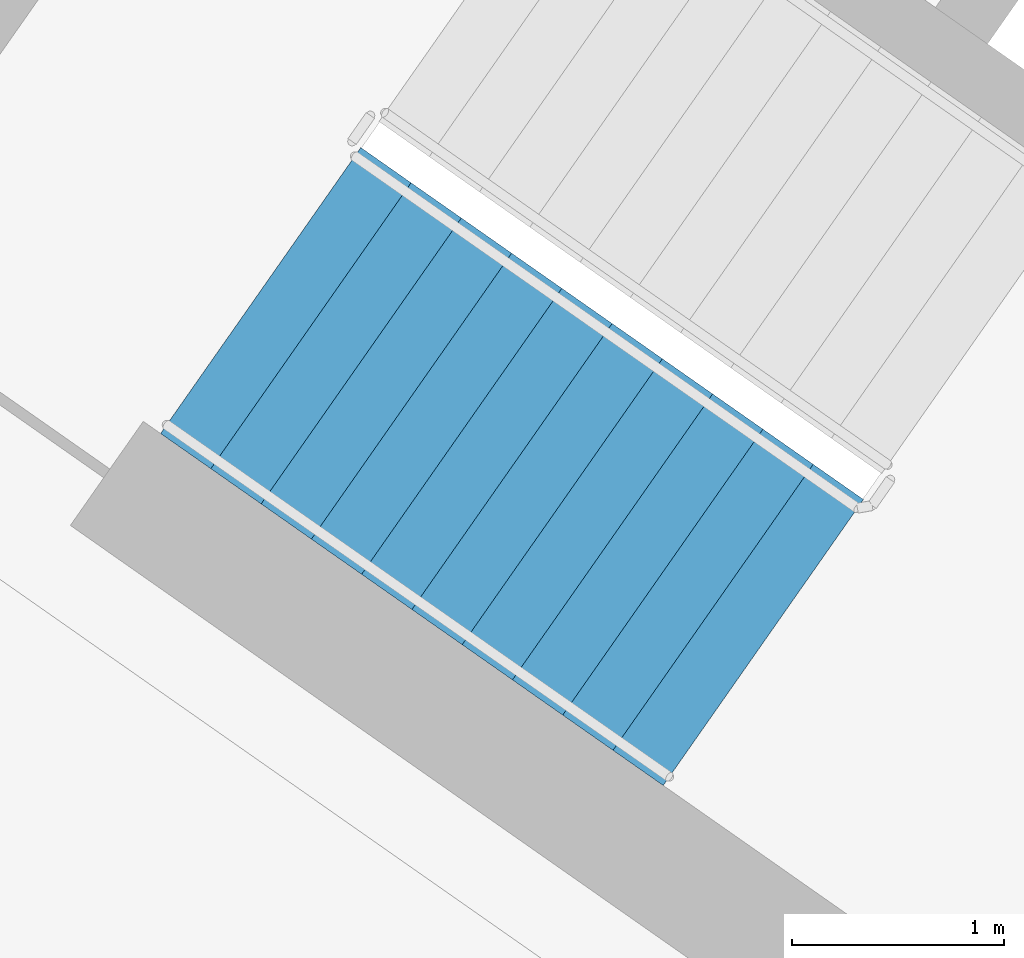
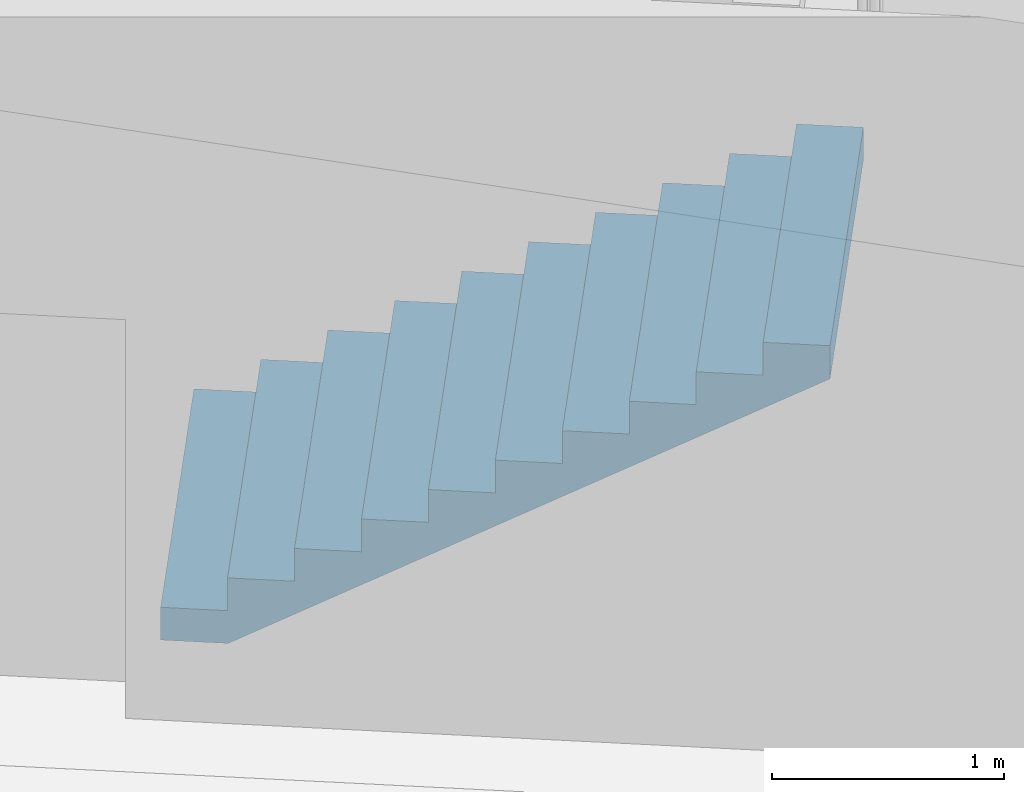
# One storey, part 10 of 28: 1 stair flight, 1 element without a shape of its own.
"""IFC4 building model written with IfcOpenShell, lengths in metres."""

from ifc_helpers import new_model, si_unit, direction, frame, origin, place, context, subcontext, project, spatial, faceted_brep, material, type_object, element, aggregate, save


model = new_model("IFC4")

# Units and contexts
model_context = context("Model", 3, precision=1e-05, world=origin(), true_north=direction((0.0, 1.0)))
body_context = subcontext(model_context, "Body", "Model", "MODEL_VIEW")
ifc_project = project(units=[si_unit("LENGTHUNIT", "METRE"), si_unit("AREAUNIT", "SQUARE_METRE"), si_unit("VOLUMEUNIT", "CUBIC_METRE"), si_unit("PLANEANGLEUNIT", "RADIAN"), si_unit("MASSUNIT", "GRAM", prefix="KILO")], contexts=[model_context])

# Site, building, storey
site_placement = place(None, origin())
site = spatial("IfcSite", under=ifc_project, at=site_placement, CompositionType="ELEMENT")
building_placement = place(site_placement, origin())
building = spatial("IfcBuilding", under=site, at=building_placement, Name="Qamariyya Broadcast Tower", CompositionType="ELEMENT")
storey_placement = place(building_placement, frame((0.0, 0.0, 215.10009765625)))
storey = spatial("IfcBuildingStorey", under=building, at=storey_placement, Name="L51", CompositionType="ELEMENT", Elevation=215.10009765625)

# Stair, stair flight
ifc_material = material(Name="Concrete C50/60", Category="concrete")
stair_type = type_object("IfcStairType", Name="Exit stair 22 risers of 173 mm", PredefinedType="HALF_TURN_STAIR", material=ifc_material)
stair_placement = place(storey_placement, origin())
stair = element("IfcStair", 1, at=stair_placement, inside=storey, type_object=stair_type, Name="L51 Stair W1", PredefinedType="HALF_TURN_STAIR")
stair_flight_type = type_object("IfcStairFlightType", Name="Exit stair flight 11 risers of 173 mm", PredefinedType="STRAIGHT", material=ifc_material)
stair_flight_placement = place(storey_placement, frame((-47.06884765625, -56.982666015625, 0.0), z_axis=(0.0, 0.0, 1.0), x_axis=(0.819152044289, -0.573576436351, 0.0)))
stair_flight = element("IfcStairFlight", 2, at=stair_flight_placement, type_object=stair_flight_type, Name="ST-W1 flight 1", NumberOfRisers=11, NumberOfTreads=10, PredefinedType="STRAIGHT", RiserHeight=0.172727273, TreadLength=0.29, context=body_context, shape_type="Brep", body=[
    faceted_brep([(0.0, 0.824951171875, 0.0), (0.0, 0.824951171875, 0.172607421875), (0.2900390625, 0.824951171875, 0.172607421875), (0.2900390625, 0.824951171875, 0.345458984375), (0.580078125, 0.824951171875, 0.345458984375), (0.580078125, 0.824951171875, 0.51806640625), (0.8701171875, 0.824951171875, 0.51806640625), (0.8701171875, 0.824951171875, 0.69091796875), (1.159912109375, 0.824951171875, 0.69091796875), (1.159912109375, 0.824951171875, 0.863525390625), (1.449951171875, 0.824951171875, 0.863525390625), (1.449951171875, 0.824951171875, 1.036376953125), (1.739990234375, 0.824951171875, 1.036376953125), (1.739990234375, 0.824951171875, 1.208984375), (2.030029296875, 0.824951171875, 1.208984375), (2.030029296875, 0.824951171875, 1.3818359375), (2.320068359375, 0.824951171875, 1.3818359375), (2.320068359375, 0.824951171875, 1.554443359375), (2.610107421875, 0.824951171875, 1.554443359375), (2.610107421875, 0.824951171875, 1.727294921875), (2.89990234375, 0.824951171875, 1.727294921875), (2.89990234375, 0.824951171875, 1.552734375), (0.29296875, 0.824951171875, 0.0), (0.29296875, -0.824951171875, 0.0), (2.89990234375, -0.824951171875, 1.552734375), (2.89990234375, -0.824951171875, 1.727294921875), (2.610107421875, -0.824951171875, 1.727294921875), (2.610107421875, -0.824951171875, 1.554443359375), (2.320068359375, -0.824951171875, 1.554443359375), (2.320068359375, -0.824951171875, 1.3818359375), (2.030029296875, -0.824951171875, 1.3818359375), (2.030029296875, -0.824951171875, 1.208984375), (1.739990234375, -0.824951171875, 1.208984375), (1.739990234375, -0.824951171875, 1.036376953125), (1.449951171875, -0.824951171875, 1.036376953125), (1.449951171875, -0.824951171875, 0.863525390625), (1.159912109375, -0.824951171875, 0.863525390625), (1.159912109375, -0.824951171875, 0.69091796875), (0.8701171875, -0.824951171875, 0.69091796875), (0.8701171875, -0.824951171875, 0.51806640625), (0.580078125, -0.824951171875, 0.51806640625), (0.580078125, -0.824951171875, 0.345458984375), (0.2900390625, -0.824951171875, 0.345458984375), (0.2900390625, -0.824951171875, 0.172607421875), (0.0, -0.824951171875, 0.172607421875), (0.0, -0.824951171875, 0.0), (0.0, 0.10009765625, 0.0), (0.0, 0.086669921875, 0.0), (0.0, 0.0732421875, 0.0), (0.0, 0.06005859375, 0.0), (0.0, 0.046630859375, 0.0), (0.0, 0.033447265625, 0.0), (0.0, 0.02001953125, 0.0), (0.0, 0.006591796875, 0.0), (0.0, -0.006591796875, 0.0), (0.0, -0.02001953125, 0.0), (0.0, -0.033447265625, 0.0), (0.0, -0.046630859375, 0.0), (0.0, -0.06005859375, 0.0), (0.0, -0.0732421875, 0.0), (0.0, -0.086669921875, 0.0), (0.0, -0.10009765625, 0.0), (0.0, -0.10009765625, 0.172607421875), (0.0, -0.086669921875, 0.172607421875), (0.0, -0.0732421875, 0.172607421875), (0.0, -0.06005859375, 0.172607421875), (0.0, -0.046630859375, 0.172607421875), (0.0, -0.033447265625, 0.172607421875), (0.0, -0.02001953125, 0.172607421875), (0.0, -0.006591796875, 0.172607421875), (0.0, 0.006591796875, 0.172607421875), (0.0, 0.02001953125, 0.172607421875), (0.0, 0.033447265625, 0.172607421875), (0.0, 0.046630859375, 0.172607421875), (0.0, 0.06005859375, 0.172607421875), (0.0, 0.0732421875, 0.172607421875), (0.0, 0.086669921875, 0.172607421875), (0.0, 0.10009765625, 0.172607421875), (0.2900390625, -0.10009765625, 0.172607421875), (0.2900390625, -0.086669921875, 0.172607421875), (0.2900390625, -0.0732421875, 0.172607421875), (0.2900390625, -0.06005859375, 0.172607421875), (0.2900390625, -0.046630859375, 0.172607421875), (0.2900390625, -0.033447265625, 0.172607421875), (0.2900390625, -0.02001953125, 0.172607421875), (0.2900390625, -0.006591796875, 0.172607421875), (0.2900390625, 0.006591796875, 0.172607421875), (0.2900390625, 0.02001953125, 0.172607421875), (0.2900390625, 0.033447265625, 0.172607421875), (0.2900390625, 0.046630859375, 0.172607421875), (0.2900390625, 0.06005859375, 0.172607421875), (0.2900390625, 0.0732421875, 0.172607421875), (0.2900390625, 0.086669921875, 0.172607421875), (0.2900390625, 0.10009765625, 0.172607421875), (0.2900390625, -0.10009765625, 0.345458984375), (0.2900390625, -0.086669921875, 0.345458984375), (0.2900390625, -0.0732421875, 0.345458984375), (0.2900390625, -0.06005859375, 0.345458984375), (0.2900390625, -0.046630859375, 0.345458984375), (0.2900390625, -0.033447265625, 0.345458984375), (0.2900390625, -0.02001953125, 0.345458984375), (0.2900390625, -0.006591796875, 0.345458984375), (0.2900390625, 0.006591796875, 0.345458984375), (0.2900390625, 0.02001953125, 0.345458984375), (0.2900390625, 0.033447265625, 0.345458984375), (0.2900390625, 0.046630859375, 0.345458984375), (0.2900390625, 0.06005859375, 0.345458984375), (0.2900390625, 0.0732421875, 0.345458984375), (0.2900390625, 0.086669921875, 0.345458984375), (0.2900390625, 0.10009765625, 0.345458984375), (0.580078125, -0.10009765625, 0.345458984375), (0.580078125, -0.086669921875, 0.345458984375), (0.580078125, -0.0732421875, 0.345458984375), (0.580078125, -0.06005859375, 0.345458984375), (0.580078125, -0.046630859375, 0.345458984375), (0.580078125, -0.033447265625, 0.345458984375), (0.580078125, -0.02001953125, 0.345458984375), (0.580078125, -0.006591796875, 0.345458984375), (0.580078125, 0.006591796875, 0.345458984375), (0.580078125, 0.02001953125, 0.345458984375), (0.580078125, 0.033447265625, 0.345458984375), (0.580078125, 0.046630859375, 0.345458984375), (0.580078125, 0.06005859375, 0.345458984375), (0.580078125, 0.0732421875, 0.345458984375), (0.580078125, 0.086669921875, 0.345458984375), (0.580078125, 0.10009765625, 0.345458984375), (0.580078125, -0.10009765625, 0.51806640625), (0.580078125, -0.086669921875, 0.51806640625), (0.580078125, -0.0732421875, 0.51806640625), (0.580078125, -0.06005859375, 0.51806640625), (0.580078125, -0.046630859375, 0.51806640625), (0.580078125, -0.033447265625, 0.51806640625), (0.580078125, -0.02001953125, 0.51806640625), (0.580078125, -0.006591796875, 0.51806640625), (0.580078125, 0.006591796875, 0.51806640625), (0.580078125, 0.02001953125, 0.51806640625), (0.580078125, 0.033447265625, 0.51806640625), (0.580078125, 0.046630859375, 0.51806640625), (0.580078125, 0.06005859375, 0.51806640625), (0.580078125, 0.0732421875, 0.51806640625), (0.580078125, 0.086669921875, 0.51806640625), (0.580078125, 0.10009765625, 0.51806640625), (0.8701171875, -0.10009765625, 0.51806640625), (0.8701171875, -0.086669921875, 0.51806640625), (0.8701171875, -0.0732421875, 0.51806640625), (0.8701171875, -0.06005859375, 0.51806640625), (0.8701171875, -0.046630859375, 0.51806640625), (0.8701171875, -0.033447265625, 0.51806640625), (0.8701171875, -0.02001953125, 0.51806640625), (0.8701171875, -0.006591796875, 0.51806640625), (0.8701171875, 0.006591796875, 0.51806640625), (0.8701171875, 0.02001953125, 0.51806640625), (0.8701171875, 0.033447265625, 0.51806640625), (0.8701171875, 0.046630859375, 0.51806640625), (0.8701171875, 0.06005859375, 0.51806640625), (0.8701171875, 0.0732421875, 0.51806640625), (0.8701171875, 0.086669921875, 0.51806640625), (0.8701171875, 0.10009765625, 0.51806640625), (0.8701171875, -0.10009765625, 0.69091796875), (0.8701171875, -0.086669921875, 0.69091796875), (0.8701171875, -0.0732421875, 0.69091796875), (0.8701171875, -0.06005859375, 0.69091796875), (0.8701171875, -0.046630859375, 0.69091796875), (0.8701171875, -0.033447265625, 0.69091796875), (0.8701171875, -0.02001953125, 0.69091796875), (0.8701171875, -0.006591796875, 0.69091796875), (0.8701171875, 0.006591796875, 0.69091796875), (0.8701171875, 0.02001953125, 0.69091796875), (0.8701171875, 0.033447265625, 0.69091796875), (0.8701171875, 0.046630859375, 0.69091796875), (0.8701171875, 0.06005859375, 0.69091796875), (0.8701171875, 0.0732421875, 0.69091796875), (0.8701171875, 0.086669921875, 0.69091796875), (0.8701171875, 0.10009765625, 0.69091796875), (1.159912109375, -0.10009765625, 0.69091796875), (1.159912109375, -0.086669921875, 0.69091796875), (1.159912109375, -0.0732421875, 0.69091796875), (1.159912109375, -0.06005859375, 0.69091796875), (1.159912109375, -0.046630859375, 0.69091796875), (1.159912109375, -0.033447265625, 0.69091796875), (1.159912109375, -0.02001953125, 0.69091796875), (1.159912109375, -0.006591796875, 0.69091796875), (1.159912109375, 0.006591796875, 0.69091796875), (1.159912109375, 0.02001953125, 0.69091796875), (1.159912109375, 0.033447265625, 0.69091796875), (1.159912109375, 0.046630859375, 0.69091796875), (1.159912109375, 0.06005859375, 0.69091796875), (1.159912109375, 0.0732421875, 0.69091796875), (1.159912109375, 0.086669921875, 0.69091796875), (1.159912109375, 0.10009765625, 0.69091796875), (1.159912109375, -0.10009765625, 0.863525390625), (1.159912109375, -0.086669921875, 0.863525390625), (1.159912109375, -0.0732421875, 0.863525390625), (1.159912109375, -0.06005859375, 0.863525390625), (1.159912109375, -0.046630859375, 0.863525390625), (1.159912109375, -0.033447265625, 0.863525390625), (1.159912109375, -0.02001953125, 0.863525390625), (1.159912109375, -0.006591796875, 0.863525390625), (1.159912109375, 0.006591796875, 0.863525390625), (1.159912109375, 0.02001953125, 0.863525390625), (1.159912109375, 0.033447265625, 0.863525390625), (1.159912109375, 0.046630859375, 0.863525390625), (1.159912109375, 0.06005859375, 0.863525390625), (1.159912109375, 0.0732421875, 0.863525390625), (1.159912109375, 0.086669921875, 0.863525390625), (1.159912109375, 0.10009765625, 0.863525390625), (1.449951171875, -0.10009765625, 0.863525390625), (1.449951171875, -0.086669921875, 0.863525390625), (1.449951171875, -0.0732421875, 0.863525390625), (1.449951171875, -0.06005859375, 0.863525390625), (1.449951171875, -0.046630859375, 0.863525390625), (1.449951171875, -0.033447265625, 0.863525390625), (1.449951171875, -0.02001953125, 0.863525390625), (1.449951171875, -0.006591796875, 0.863525390625), (1.449951171875, 0.006591796875, 0.863525390625), (1.449951171875, 0.02001953125, 0.863525390625), (1.449951171875, 0.033447265625, 0.863525390625), (1.449951171875, 0.046630859375, 0.863525390625), (1.449951171875, 0.06005859375, 0.863525390625), (1.449951171875, 0.0732421875, 0.863525390625), (1.449951171875, 0.086669921875, 0.863525390625), (1.449951171875, 0.10009765625, 0.863525390625), (1.449951171875, -0.10009765625, 1.036376953125), (1.449951171875, -0.086669921875, 1.036376953125), (1.449951171875, -0.0732421875, 1.036376953125), (1.449951171875, -0.06005859375, 1.036376953125), (1.449951171875, -0.046630859375, 1.036376953125), (1.449951171875, -0.033447265625, 1.036376953125), (1.449951171875, -0.02001953125, 1.036376953125), (1.449951171875, -0.006591796875, 1.036376953125), (1.449951171875, 0.006591796875, 1.036376953125), (1.449951171875, 0.02001953125, 1.036376953125), (1.449951171875, 0.033447265625, 1.036376953125), (1.449951171875, 0.046630859375, 1.036376953125), (1.449951171875, 0.06005859375, 1.036376953125), (1.449951171875, 0.0732421875, 1.036376953125), (1.449951171875, 0.086669921875, 1.036376953125), (1.449951171875, 0.10009765625, 1.036376953125), (1.739990234375, -0.10009765625, 1.036376953125), (1.739990234375, -0.086669921875, 1.036376953125), (1.739990234375, -0.0732421875, 1.036376953125), (1.739990234375, -0.06005859375, 1.036376953125), (1.739990234375, -0.046630859375, 1.036376953125), (1.739990234375, -0.033447265625, 1.036376953125), (1.739990234375, -0.02001953125, 1.036376953125), (1.739990234375, -0.006591796875, 1.036376953125), (1.739990234375, 0.006591796875, 1.036376953125), (1.739990234375, 0.02001953125, 1.036376953125), (1.739990234375, 0.033447265625, 1.036376953125), (1.739990234375, 0.046630859375, 1.036376953125), (1.739990234375, 0.06005859375, 1.036376953125), (1.739990234375, 0.0732421875, 1.036376953125), (1.739990234375, 0.086669921875, 1.036376953125), (1.739990234375, 0.10009765625, 1.036376953125), (1.739990234375, -0.10009765625, 1.208984375), (1.739990234375, -0.086669921875, 1.208984375), (1.739990234375, -0.0732421875, 1.208984375), (1.739990234375, -0.06005859375, 1.208984375), (1.739990234375, -0.046630859375, 1.208984375), (1.739990234375, -0.033447265625, 1.208984375), (1.739990234375, -0.02001953125, 1.208984375), (1.739990234375, -0.006591796875, 1.208984375), (1.739990234375, 0.006591796875, 1.208984375), (1.739990234375, 0.02001953125, 1.208984375), (1.739990234375, 0.033447265625, 1.208984375), (1.739990234375, 0.046630859375, 1.208984375), (1.739990234375, 0.06005859375, 1.208984375), (1.739990234375, 0.0732421875, 1.208984375), (1.739990234375, 0.086669921875, 1.208984375), (1.739990234375, 0.10009765625, 1.208984375), (2.030029296875, -0.10009765625, 1.208984375), (2.030029296875, -0.086669921875, 1.208984375), (2.030029296875, -0.0732421875, 1.208984375), (2.030029296875, -0.06005859375, 1.208984375), (2.030029296875, -0.046630859375, 1.208984375), (2.030029296875, -0.033447265625, 1.208984375), (2.030029296875, -0.02001953125, 1.208984375), (2.030029296875, -0.006591796875, 1.208984375), (2.030029296875, 0.006591796875, 1.208984375), (2.030029296875, 0.02001953125, 1.208984375), (2.030029296875, 0.033447265625, 1.208984375), (2.030029296875, 0.046630859375, 1.208984375), (2.030029296875, 0.06005859375, 1.208984375), (2.030029296875, 0.0732421875, 1.208984375), (2.030029296875, 0.086669921875, 1.208984375), (2.030029296875, 0.10009765625, 1.208984375), (2.030029296875, -0.10009765625, 1.3818359375), (2.030029296875, -0.086669921875, 1.3818359375), (2.030029296875, -0.0732421875, 1.3818359375), (2.030029296875, -0.06005859375, 1.3818359375), (2.030029296875, -0.046630859375, 1.3818359375), (2.030029296875, -0.033447265625, 1.3818359375), (2.030029296875, -0.02001953125, 1.3818359375), (2.030029296875, -0.006591796875, 1.3818359375), (2.030029296875, 0.006591796875, 1.3818359375), (2.030029296875, 0.02001953125, 1.3818359375), (2.030029296875, 0.033447265625, 1.3818359375), (2.030029296875, 0.046630859375, 1.3818359375), (2.030029296875, 0.06005859375, 1.3818359375), (2.030029296875, 0.0732421875, 1.3818359375), (2.030029296875, 0.086669921875, 1.3818359375), (2.030029296875, 0.10009765625, 1.3818359375), (2.320068359375, -0.10009765625, 1.3818359375), (2.320068359375, -0.086669921875, 1.3818359375), (2.320068359375, -0.0732421875, 1.3818359375), (2.320068359375, -0.06005859375, 1.3818359375), (2.320068359375, -0.046630859375, 1.3818359375), (2.320068359375, -0.033447265625, 1.3818359375), (2.320068359375, -0.02001953125, 1.3818359375), (2.320068359375, -0.006591796875, 1.3818359375), (2.320068359375, 0.006591796875, 1.3818359375), (2.320068359375, 0.02001953125, 1.3818359375), (2.320068359375, 0.033447265625, 1.3818359375), (2.320068359375, 0.046630859375, 1.3818359375), (2.320068359375, 0.06005859375, 1.3818359375), (2.320068359375, 0.0732421875, 1.3818359375), (2.320068359375, 0.086669921875, 1.3818359375), (2.320068359375, 0.10009765625, 1.3818359375), (2.320068359375, -0.10009765625, 1.554443359375), (2.320068359375, -0.086669921875, 1.554443359375), (2.320068359375, -0.0732421875, 1.554443359375), (2.320068359375, -0.06005859375, 1.554443359375), (2.320068359375, -0.046630859375, 1.554443359375), (2.320068359375, -0.033447265625, 1.554443359375), (2.320068359375, -0.02001953125, 1.554443359375), (2.320068359375, -0.006591796875, 1.554443359375), (2.320068359375, 0.006591796875, 1.554443359375), (2.320068359375, 0.02001953125, 1.554443359375), (2.320068359375, 0.033447265625, 1.554443359375), (2.320068359375, 0.046630859375, 1.554443359375), (2.320068359375, 0.06005859375, 1.554443359375), (2.320068359375, 0.0732421875, 1.554443359375), (2.320068359375, 0.086669921875, 1.554443359375), (2.320068359375, 0.10009765625, 1.554443359375), (2.610107421875, -0.10009765625, 1.554443359375), (2.610107421875, -0.086669921875, 1.554443359375), (2.610107421875, -0.0732421875, 1.554443359375), (2.610107421875, -0.06005859375, 1.554443359375), (2.610107421875, -0.046630859375, 1.554443359375), (2.610107421875, -0.033447265625, 1.554443359375), (2.610107421875, -0.02001953125, 1.554443359375), (2.610107421875, -0.006591796875, 1.554443359375), (2.610107421875, 0.006591796875, 1.554443359375), (2.610107421875, 0.02001953125, 1.554443359375), (2.610107421875, 0.033447265625, 1.554443359375), (2.610107421875, 0.046630859375, 1.554443359375), (2.610107421875, 0.06005859375, 1.554443359375), (2.610107421875, 0.0732421875, 1.554443359375), (2.610107421875, 0.086669921875, 1.554443359375), (2.610107421875, 0.10009765625, 1.554443359375), (2.610107421875, -0.10009765625, 1.727294921875), (2.610107421875, -0.086669921875, 1.727294921875), (2.610107421875, -0.0732421875, 1.727294921875), (2.610107421875, -0.06005859375, 1.727294921875), (2.610107421875, -0.046630859375, 1.727294921875), (2.610107421875, -0.033447265625, 1.727294921875), (2.610107421875, -0.02001953125, 1.727294921875), (2.610107421875, -0.006591796875, 1.727294921875), (2.610107421875, 0.006591796875, 1.727294921875), (2.610107421875, 0.02001953125, 1.727294921875), (2.610107421875, 0.033447265625, 1.727294921875), (2.610107421875, 0.046630859375, 1.727294921875), (2.610107421875, 0.06005859375, 1.727294921875), (2.610107421875, 0.0732421875, 1.727294921875), (2.610107421875, 0.086669921875, 1.727294921875), (2.610107421875, 0.10009765625, 1.727294921875), (2.89990234375, -0.10009765625, 1.727294921875), (2.89990234375, -0.086669921875, 1.727294921875), (2.89990234375, -0.0732421875, 1.727294921875), (2.89990234375, -0.06005859375, 1.727294921875), (2.89990234375, -0.046630859375, 1.727294921875), (2.89990234375, -0.033447265625, 1.727294921875), (2.89990234375, -0.02001953125, 1.727294921875), (2.89990234375, -0.006591796875, 1.727294921875), (2.89990234375, 0.006591796875, 1.727294921875), (2.89990234375, 0.02001953125, 1.727294921875), (2.89990234375, 0.033447265625, 1.727294921875), (2.89990234375, 0.046630859375, 1.727294921875), (2.89990234375, 0.06005859375, 1.727294921875), (2.89990234375, 0.0732421875, 1.727294921875), (2.89990234375, 0.086669921875, 1.727294921875), (2.89990234375, 0.10009765625, 1.727294921875), (2.89990234375, -0.10009765625, 1.552734375), (2.89990234375, -0.086669921875, 1.552734375), (2.89990234375, -0.0732421875, 1.552734375), (2.89990234375, -0.06005859375, 1.552734375), (2.89990234375, -0.046630859375, 1.552734375), (2.89990234375, -0.033447265625, 1.552734375), (2.89990234375, -0.02001953125, 1.552734375), (2.89990234375, -0.006591796875, 1.552734375), (2.89990234375, 0.006591796875, 1.552734375), (2.89990234375, 0.02001953125, 1.552734375), (2.89990234375, 0.033447265625, 1.552734375), (2.89990234375, 0.046630859375, 1.552734375), (2.89990234375, 0.06005859375, 1.552734375), (2.89990234375, 0.0732421875, 1.552734375), (2.89990234375, 0.086669921875, 1.552734375), (2.89990234375, 0.10009765625, 1.552734375), (0.29296875, -0.10009765625, 0.0), (0.29296875, -0.086669921875, 0.0), (0.29296875, -0.0732421875, 0.0), (0.29296875, -0.06005859375, 0.0), (0.29296875, -0.046630859375, 0.0), (0.29296875, -0.033447265625, 0.0), (0.29296875, -0.02001953125, 0.0), (0.29296875, -0.006591796875, 0.0), (0.29296875, 0.006591796875, 0.0), (0.29296875, 0.02001953125, 0.0), (0.29296875, 0.033447265625, 0.0), (0.29296875, 0.046630859375, 0.0), (0.29296875, 0.06005859375, 0.0), (0.29296875, 0.0732421875, 0.0), (0.29296875, 0.086669921875, 0.0), (0.29296875, 0.10009765625, 0.0)], [[[0, 1, 2, 3, 4, 5, 6, 7, 8, 9, 10, 11, 12, 13, 14, 15, 16, 17, 18, 19, 20, 21, 22]], [[23, 24, 25, 26, 27, 28, 29, 30, 31, 32, 33, 34, 35, 36, 37, 38, 39, 40, 41, 42, 43, 44, 45]], [[0, 46, 47, 48, 49, 50, 51, 52, 53, 54, 55, 56, 57, 58, 59, 60, 61, 45, 44, 62, 63, 64, 65, 66, 67, 68, 69, 70, 71, 72, 73, 74, 75, 76, 77, 1]], [[1, 77, 76, 75, 74, 73, 72, 71, 70, 69, 68, 67, 66, 65, 64, 63, 62, 44, 43, 78, 79, 80, 81, 82, 83, 84, 85, 86, 87, 88, 89, 90, 91, 92, 93, 2]], [[2, 93, 92, 91, 90, 89, 88, 87, 86, 85, 84, 83, 82, 81, 80, 79, 78, 43, 42, 94, 95, 96, 97, 98, 99, 100, 101, 102, 103, 104, 105, 106, 107, 108, 109, 3]], [[3, 109, 108, 107, 106, 105, 104, 103, 102, 101, 100, 99, 98, 97, 96, 95, 94, 42, 41, 110, 111, 112, 113, 114, 115, 116, 117, 118, 119, 120, 121, 122, 123, 124, 125, 4]], [[4, 125, 124, 123, 122, 121, 120, 119, 118, 117, 116, 115, 114, 113, 112, 111, 110, 41, 40, 126, 127, 128, 129, 130, 131, 132, 133, 134, 135, 136, 137, 138, 139, 140, 141, 5]], [[5, 141, 140, 139, 138, 137, 136, 135, 134, 133, 132, 131, 130, 129, 128, 127, 126, 40, 39, 142, 143, 144, 145, 146, 147, 148, 149, 150, 151, 152, 153, 154, 155, 156, 157, 6]], [[6, 157, 156, 155, 154, 153, 152, 151, 150, 149, 148, 147, 146, 145, 144, 143, 142, 39, 38, 158, 159, 160, 161, 162, 163, 164, 165, 166, 167, 168, 169, 170, 171, 172, 173, 7]], [[7, 173, 172, 171, 170, 169, 168, 167, 166, 165, 164, 163, 162, 161, 160, 159, 158, 38, 37, 174, 175, 176, 177, 178, 179, 180, 181, 182, 183, 184, 185, 186, 187, 188, 189, 8]], [[8, 189, 188, 187, 186, 185, 184, 183, 182, 181, 180, 179, 178, 177, 176, 175, 174, 37, 36, 190, 191, 192, 193, 194, 195, 196, 197, 198, 199, 200, 201, 202, 203, 204, 205, 9]], [[9, 205, 204, 203, 202, 201, 200, 199, 198, 197, 196, 195, 194, 193, 192, 191, 190, 36, 35, 206, 207, 208, 209, 210, 211, 212, 213, 214, 215, 216, 217, 218, 219, 220, 221, 10]], [[10, 221, 220, 219, 218, 217, 216, 215, 214, 213, 212, 211, 210, 209, 208, 207, 206, 35, 34, 222, 223, 224, 225, 226, 227, 228, 229, 230, 231, 232, 233, 234, 235, 236, 237, 11]], [[11, 237, 236, 235, 234, 233, 232, 231, 230, 229, 228, 227, 226, 225, 224, 223, 222, 34, 33, 238, 239, 240, 241, 242, 243, 244, 245, 246, 247, 248, 249, 250, 251, 252, 253, 12]], [[12, 253, 252, 251, 250, 249, 248, 247, 246, 245, 244, 243, 242, 241, 240, 239, 238, 33, 32, 254, 255, 256, 257, 258, 259, 260, 261, 262, 263, 264, 265, 266, 267, 268, 269, 13]], [[13, 269, 268, 267, 266, 265, 264, 263, 262, 261, 260, 259, 258, 257, 256, 255, 254, 32, 31, 270, 271, 272, 273, 274, 275, 276, 277, 278, 279, 280, 281, 282, 283, 284, 285, 14]], [[14, 285, 284, 283, 282, 281, 280, 279, 278, 277, 276, 275, 274, 273, 272, 271, 270, 31, 30, 286, 287, 288, 289, 290, 291, 292, 293, 294, 295, 296, 297, 298, 299, 300, 301, 15]], [[15, 301, 300, 299, 298, 297, 296, 295, 294, 293, 292, 291, 290, 289, 288, 287, 286, 30, 29, 302, 303, 304, 305, 306, 307, 308, 309, 310, 311, 312, 313, 314, 315, 316, 317, 16]], [[16, 317, 316, 315, 314, 313, 312, 311, 310, 309, 308, 307, 306, 305, 304, 303, 302, 29, 28, 318, 319, 320, 321, 322, 323, 324, 325, 326, 327, 328, 329, 330, 331, 332, 333, 17]], [[17, 333, 332, 331, 330, 329, 328, 327, 326, 325, 324, 323, 322, 321, 320, 319, 318, 28, 27, 334, 335, 336, 337, 338, 339, 340, 341, 342, 343, 344, 345, 346, 347, 348, 349, 18]], [[18, 349, 348, 347, 346, 345, 344, 343, 342, 341, 340, 339, 338, 337, 336, 335, 334, 27, 26, 350, 351, 352, 353, 354, 355, 356, 357, 358, 359, 360, 361, 362, 363, 364, 365, 19]], [[19, 365, 364, 363, 362, 361, 360, 359, 358, 357, 356, 355, 354, 353, 352, 351, 350, 26, 25, 366, 367, 368, 369, 370, 371, 372, 373, 374, 375, 376, 377, 378, 379, 380, 381, 20]], [[20, 381, 380, 379, 378, 377, 376, 375, 374, 373, 372, 371, 370, 369, 368, 367, 366, 25, 24, 382, 383, 384, 385, 386, 387, 388, 389, 390, 391, 392, 393, 394, 395, 396, 397, 21]], [[21, 397, 396, 395, 394, 393, 392, 391, 390, 389, 388, 387, 386, 385, 384, 383, 382, 24, 23, 398, 399, 400, 401, 402, 403, 404, 405, 406, 407, 408, 409, 410, 411, 412, 413, 22]], [[22, 413, 412, 411, 410, 409, 408, 407, 406, 405, 404, 403, 402, 401, 400, 399, 398, 23, 45, 61, 60, 59, 58, 57, 56, 55, 54, 53, 52, 51, 50, 49, 48, 47, 46, 0]]]),
])
aggregate(stair, [stair_flight])

save(model, "model.ifc")
